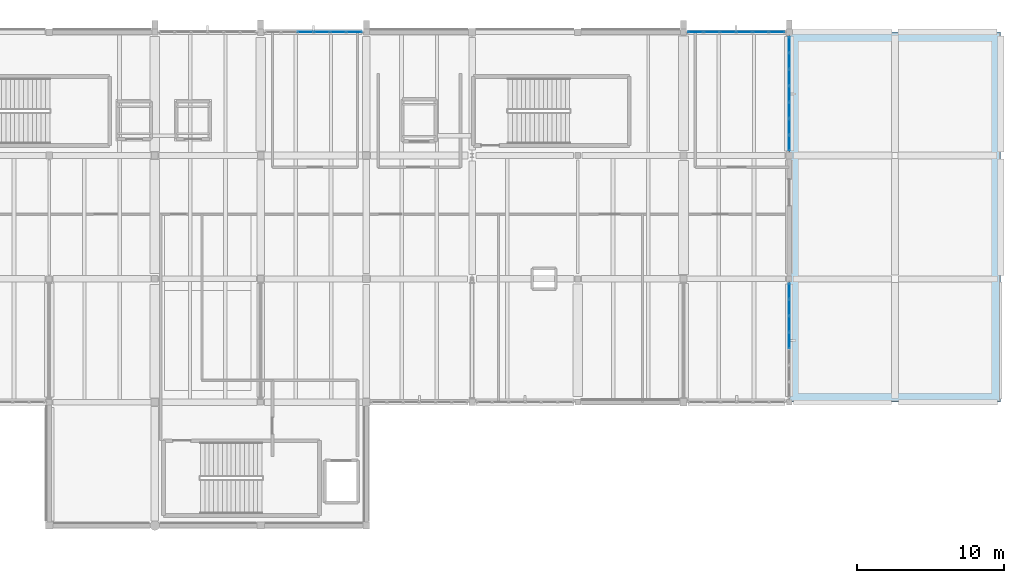
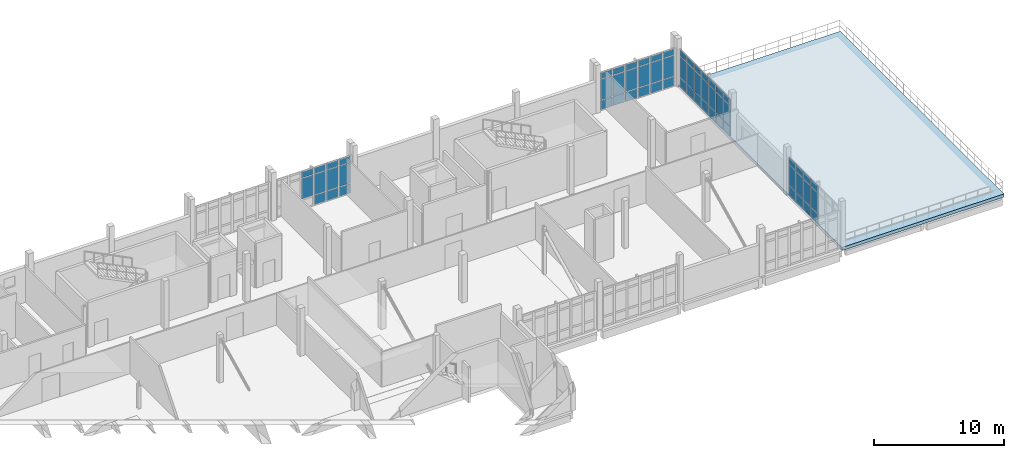
# One storey, part 24 of 34: 62 plates, 1 slab, 4 elements without a shape of their own.
"""IFC4 building model written with IfcOpenShell, lengths in metres."""

from ifc_helpers import new_model, si_unit, direction, frame, origin, origin_2d, place, context, subcontext, project, spatial, polyline, rectangle, outline, extrude, material, layer, layer_set, type_object, element, aggregate, save


model = new_model("IFC4")

# Units and contexts
model_context = context("Model", 3, precision=1e-05, world=origin(), true_north=direction((0.0, 1.0)))
body_context = subcontext(model_context, "Body", "Model", "MODEL_VIEW")
ifc_project = project(units=[si_unit("LENGTHUNIT", "METRE"), si_unit("AREAUNIT", "SQUARE_METRE"), si_unit("VOLUMEUNIT", "CUBIC_METRE"), si_unit("PLANEANGLEUNIT", "RADIAN"), si_unit("MASSUNIT", "GRAM", prefix="KILO")], contexts=[model_context])

# Site, building, storey
site_placement = place(None, origin())
site = spatial("IfcSite", under=ifc_project, at=site_placement, CompositionType="ELEMENT")
building_placement = place(site_placement, origin())
building = spatial("IfcBuilding", under=site, at=building_placement, Name="Kalluvel Institute of Natural Sciences", CompositionType="ELEMENT")
storey_placement = place(building_placement, frame((0.0, 0.0, 36.89990234375)))
storey = spatial("IfcBuildingStorey", under=building, at=storey_placement, Name="L08", CompositionType="ELEMENT", Elevation=36.89990234375)

# Curtain wall, plates
ifc_material_1 = material(Name="Aluminium AW-6063 T6", Category="aluminium")
curtain_wall_type = type_object("IfcCurtainWallType", Name="CW-WET-45", PredefinedType="USERDEFINED", material=ifc_material_1)
curtain_wall_1_placement = place(storey_placement, origin())
curtain_wall_1 = element("IfcCurtainWall", 1, at=curtain_wall_1_placement, inside=storey, type_object=curtain_wall_type, Name="L08 Gothic lancet curtain wall CWA-L08-X503-Y1280", ObjectType="UNITISED LANCET FACADE", PredefinedType="USERDEFINED")
ifc_material_2 = material(Name="Solar-Control Low-E Laminated Glass", Category="glass")
ifc_layer_1 = layer(ifc_material_2, 0.0400390625)
ifc_layer_set_1 = layer_set([ifc_layer_1], Name="Solar-Control Low-E Laminated Glass")
plate_type = type_object("IfcPlateType", Name="CWP-SPN-40", PredefinedType="CURTAIN_PANEL", material=ifc_layer_set_1)
plate_1_placement = place(storey_placement, frame((53.05615234375, 128.0, 0.9853515625), z_axis=(0.0, 0.0, 1.0), x_axis=(1.0, 0.0, 0.0)))
plate_1 = element("IfcPlate", 2, at=plate_1_placement, type_object=plate_type, Name="CW-01 panel 3.2", PredefinedType="CURTAIN_PANEL", context=body_context, shape_type="SweptSolid", body=[
    extrude(rectangle(XDim=1.04248046875, YDim=0.0400390625, at=origin_2d()), origin(), (0.0, 0.0, 1.0), 1.909912109375),
])
plate_2_placement = place(storey_placement, frame((53.05615234375, 128.0, 2.965087890625), z_axis=(0.0, 0.0, 1.0), x_axis=(1.0, 0.0, 0.0)))
plate_2 = element("IfcPlate", 3, at=plate_2_placement, type_object=plate_type, Name="CW-01 panel 3.3", PredefinedType="CURTAIN_PANEL", context=body_context, shape_type="SweptSolid", body=[
    extrude(rectangle(XDim=1.04248046875, YDim=0.0400390625, at=origin_2d()), origin(), (0.0, 0.0, 1.0), 0.544921875),
])
plate_3_placement = place(storey_placement, frame((54.168701171875, 128.0, 0.0703125), z_axis=(0.0, 0.0, 1.0), x_axis=(1.0, 0.0, 0.0)))
plate_3 = element("IfcPlate", 4, at=plate_3_placement, type_object=plate_type, Name="CW-01 panel 4.1", PredefinedType="CURTAIN_PANEL", context=body_context, shape_type="SweptSolid", body=[
    extrude(rectangle(XDim=1.04248046875, YDim=0.0400390625, at=origin_2d()), origin(), (0.0, 0.0, 1.0), 0.844970703125),
])
plate_4_placement = place(storey_placement, frame((54.168701171875, 128.0, 0.9853515625), z_axis=(0.0, 0.0, 1.0), x_axis=(1.0, 0.0, 0.0)))
plate_4 = element("IfcPlate", 5, at=plate_4_placement, type_object=plate_type, Name="CW-01 panel 4.2", PredefinedType="CURTAIN_PANEL", context=body_context, shape_type="SweptSolid", body=[
    extrude(rectangle(XDim=1.04248046875, YDim=0.0400390625, at=origin_2d()), origin(), (0.0, 0.0, 1.0), 1.909912109375),
])
plate_5_placement = place(storey_placement, frame((54.168701171875, 128.0, 2.965087890625), z_axis=(0.0, 0.0, 1.0), x_axis=(1.0, 0.0, 0.0)))
plate_5 = element("IfcPlate", 6, at=plate_5_placement, type_object=plate_type, Name="CW-01 panel 4.3", PredefinedType="CURTAIN_PANEL", context=body_context, shape_type="SweptSolid", body=[
    extrude(rectangle(XDim=1.04248046875, YDim=0.0400390625, at=origin_2d()), origin(), (0.0, 0.0, 1.0), 0.544921875),
])
plate_6_placement = place(storey_placement, frame((55.28125, 128.0, 0.0703125), z_axis=(0.0, 0.0, 1.0), x_axis=(1.0, 0.0, 0.0)))
plate_6 = element("IfcPlate", 7, at=plate_6_placement, type_object=plate_type, Name="CW-01 panel 5.1", PredefinedType="CURTAIN_PANEL", context=body_context, shape_type="SweptSolid", body=[
    extrude(rectangle(XDim=1.04248046875, YDim=0.0400390625, at=origin_2d()), origin(), (0.0, 0.0, 1.0), 0.844970703125),
])
plate_7_placement = place(storey_placement, frame((55.28125, 128.0, 0.9853515625), z_axis=(0.0, 0.0, 1.0), x_axis=(1.0, 0.0, 0.0)))
plate_7 = element("IfcPlate", 8, at=plate_7_placement, type_object=plate_type, Name="CW-01 panel 5.2", PredefinedType="CURTAIN_PANEL", context=body_context, shape_type="SweptSolid", body=[
    extrude(rectangle(XDim=1.04248046875, YDim=0.0400390625, at=origin_2d()), origin(), (0.0, 0.0, 1.0), 1.909912109375),
])
plate_8_placement = place(storey_placement, frame((55.28125, 128.0, 2.965087890625), z_axis=(0.0, 0.0, 1.0), x_axis=(1.0, 0.0, 0.0)))
plate_8 = element("IfcPlate", 9, at=plate_8_placement, type_object=plate_type, Name="CW-01 panel 5.3", PredefinedType="CURTAIN_PANEL", context=body_context, shape_type="SweptSolid", body=[
    extrude(rectangle(XDim=1.04248046875, YDim=0.0400390625, at=origin_2d()), origin(), (0.0, 0.0, 1.0), 0.544921875),
])
plate_9_placement = place(storey_placement, frame((56.376220703125, 128.0, 0.0703125), z_axis=(0.0, 0.0, 1.0), x_axis=(1.0, 0.0, 0.0)))
plate_9 = element("IfcPlate", 10, at=plate_9_placement, type_object=plate_type, Name="CW-01 panel 6.1", PredefinedType="CURTAIN_PANEL", context=body_context, shape_type="SweptSolid", body=[
    extrude(rectangle(XDim=1.007568359375, YDim=0.0400390625, at=origin_2d()), origin(), (0.0, 0.0, 1.0), 0.844970703125),
])
plate_10_placement = place(storey_placement, frame((56.376220703125, 128.0, 0.9853515625), z_axis=(0.0, 0.0, 1.0), x_axis=(1.0, 0.0, 0.0)))
plate_10 = element("IfcPlate", 11, at=plate_10_placement, type_object=plate_type, Name="CW-01 panel 6.2", PredefinedType="CURTAIN_PANEL", context=body_context, shape_type="SweptSolid", body=[
    extrude(rectangle(XDim=1.007568359375, YDim=0.0400390625, at=origin_2d()), origin(), (0.0, 0.0, 1.0), 1.909912109375),
])
plate_11_placement = place(storey_placement, frame((56.376220703125, 128.0, 2.965087890625), z_axis=(0.0, 0.0, 1.0), x_axis=(1.0, 0.0, 0.0)))
plate_11 = element("IfcPlate", 12, at=plate_11_placement, type_object=plate_type, Name="CW-01 panel 6.3", PredefinedType="CURTAIN_PANEL", context=body_context, shape_type="SweptSolid", body=[
    extrude(rectangle(XDim=1.007568359375, YDim=0.0400390625, at=origin_2d()), origin(), (0.0, 0.0, 1.0), 0.544921875),
])
aggregate(curtain_wall_1, [plate_1, plate_2, plate_3, plate_4, plate_5, plate_6, plate_7, plate_8, plate_9, plate_10, plate_11])

curtain_wall_2_placement = place(storey_placement, origin())
curtain_wall_2 = element("IfcCurtainWall", 13, at=curtain_wall_2_placement, inside=storey, type_object=curtain_wall_type, Name="L08 Gothic lancet curtain wall CWA-L08-X790-Y1280", ObjectType="UNITISED LANCET FACADE", PredefinedType="USERDEFINED")
plate_12_placement = place(storey_placement, frame((79.623779296875, 128.0, 0.0703125), z_axis=(0.0, 0.0, 1.0), x_axis=(1.0, 0.0, 0.0)))
plate_12 = element("IfcPlate", 14, at=plate_12_placement, type_object=plate_type, Name="CW-01 panel 1.1", PredefinedType="CURTAIN_PANEL", context=body_context, shape_type="SweptSolid", body=[
    extrude(rectangle(XDim=1.007568359375, YDim=0.0400390625, at=origin_2d()), origin(), (0.0, 0.0, 1.0), 0.844970703125),
])
plate_13_placement = place(storey_placement, frame((79.623779296875, 128.0, 0.9853515625), z_axis=(0.0, 0.0, 1.0), x_axis=(1.0, 0.0, 0.0)))
plate_13 = element("IfcPlate", 15, at=plate_13_placement, type_object=plate_type, Name="CW-01 panel 1.2", PredefinedType="CURTAIN_PANEL", context=body_context, shape_type="SweptSolid", body=[
    extrude(rectangle(XDim=1.007568359375, YDim=0.0400390625, at=origin_2d()), origin(), (0.0, 0.0, 1.0), 1.909912109375),
])
plate_14_placement = place(storey_placement, frame((79.623779296875, 128.0, 2.965087890625), z_axis=(0.0, 0.0, 1.0), x_axis=(1.0, 0.0, 0.0)))
plate_14 = element("IfcPlate", 16, at=plate_14_placement, type_object=plate_type, Name="CW-01 panel 1.3", PredefinedType="CURTAIN_PANEL", context=body_context, shape_type="SweptSolid", body=[
    extrude(rectangle(XDim=1.007568359375, YDim=0.0400390625, at=origin_2d()), origin(), (0.0, 0.0, 1.0), 0.544921875),
])
plate_15_placement = place(storey_placement, frame((80.71875, 128.0, 0.0703125), z_axis=(0.0, 0.0, 1.0), x_axis=(1.0, 0.0, 0.0)))
plate_15 = element("IfcPlate", 17, at=plate_15_placement, type_object=plate_type, Name="CW-01 panel 2.1", PredefinedType="CURTAIN_PANEL", context=body_context, shape_type="SweptSolid", body=[
    extrude(rectangle(XDim=1.04248046875, YDim=0.0400390625, at=origin_2d()), origin(), (0.0, 0.0, 1.0), 0.844970703125),
])
plate_16_placement = place(storey_placement, frame((80.71875, 128.0, 0.9853515625), z_axis=(0.0, 0.0, 1.0), x_axis=(1.0, 0.0, 0.0)))
plate_16 = element("IfcPlate", 18, at=plate_16_placement, type_object=plate_type, Name="CW-01 panel 2.2", PredefinedType="CURTAIN_PANEL", context=body_context, shape_type="SweptSolid", body=[
    extrude(rectangle(XDim=1.04248046875, YDim=0.0400390625, at=origin_2d()), origin(), (0.0, 0.0, 1.0), 1.909912109375),
])
plate_17_placement = place(storey_placement, frame((80.71875, 128.0, 2.965087890625), z_axis=(0.0, 0.0, 1.0), x_axis=(1.0, 0.0, 0.0)))
plate_17 = element("IfcPlate", 19, at=plate_17_placement, type_object=plate_type, Name="CW-01 panel 2.3", PredefinedType="CURTAIN_PANEL", context=body_context, shape_type="SweptSolid", body=[
    extrude(rectangle(XDim=1.04248046875, YDim=0.0400390625, at=origin_2d()), origin(), (0.0, 0.0, 1.0), 0.544921875),
])
plate_18_placement = place(storey_placement, frame((81.831298828125, 128.0, 0.0703125), z_axis=(0.0, 0.0, 1.0), x_axis=(1.0, 0.0, 0.0)))
plate_18 = element("IfcPlate", 20, at=plate_18_placement, type_object=plate_type, Name="CW-01 panel 3.1", PredefinedType="CURTAIN_PANEL", context=body_context, shape_type="SweptSolid", body=[
    extrude(rectangle(XDim=1.04248046875, YDim=0.0400390625, at=origin_2d()), origin(), (0.0, 0.0, 1.0), 0.844970703125),
])
plate_19_placement = place(storey_placement, frame((81.831298828125, 128.0, 0.9853515625), z_axis=(0.0, 0.0, 1.0), x_axis=(1.0, 0.0, 0.0)))
plate_19 = element("IfcPlate", 21, at=plate_19_placement, type_object=plate_type, Name="CW-01 panel 3.2", PredefinedType="CURTAIN_PANEL", context=body_context, shape_type="SweptSolid", body=[
    extrude(rectangle(XDim=1.04248046875, YDim=0.0400390625, at=origin_2d()), origin(), (0.0, 0.0, 1.0), 1.909912109375),
])
plate_20_placement = place(storey_placement, frame((81.831298828125, 128.0, 2.965087890625), z_axis=(0.0, 0.0, 1.0), x_axis=(1.0, 0.0, 0.0)))
plate_20 = element("IfcPlate", 22, at=plate_20_placement, type_object=plate_type, Name="CW-01 panel 3.3", PredefinedType="CURTAIN_PANEL", context=body_context, shape_type="SweptSolid", body=[
    extrude(rectangle(XDim=1.04248046875, YDim=0.0400390625, at=origin_2d()), origin(), (0.0, 0.0, 1.0), 0.544921875),
])
plate_21_placement = place(storey_placement, frame((82.94384765625, 128.0, 0.0703125), z_axis=(0.0, 0.0, 1.0), x_axis=(1.0, 0.0, 0.0)))
plate_21 = element("IfcPlate", 23, at=plate_21_placement, type_object=plate_type, Name="CW-01 panel 4.1", PredefinedType="CURTAIN_PANEL", context=body_context, shape_type="SweptSolid", body=[
    extrude(rectangle(XDim=1.04248046875, YDim=0.0400390625, at=origin_2d()), origin(), (0.0, 0.0, 1.0), 0.844970703125),
])
plate_22_placement = place(storey_placement, frame((82.94384765625, 128.0, 0.9853515625), z_axis=(0.0, 0.0, 1.0), x_axis=(1.0, 0.0, 0.0)))
plate_22 = element("IfcPlate", 24, at=plate_22_placement, type_object=plate_type, Name="CW-01 panel 4.2", PredefinedType="CURTAIN_PANEL", context=body_context, shape_type="SweptSolid", body=[
    extrude(rectangle(XDim=1.04248046875, YDim=0.0400390625, at=origin_2d()), origin(), (0.0, 0.0, 1.0), 1.909912109375),
])
plate_23_placement = place(storey_placement, frame((82.94384765625, 128.0, 2.965087890625), z_axis=(0.0, 0.0, 1.0), x_axis=(1.0, 0.0, 0.0)))
plate_23 = element("IfcPlate", 25, at=plate_23_placement, type_object=plate_type, Name="CW-01 panel 4.3", PredefinedType="CURTAIN_PANEL", context=body_context, shape_type="SweptSolid", body=[
    extrude(rectangle(XDim=1.04248046875, YDim=0.0400390625, at=origin_2d()), origin(), (0.0, 0.0, 1.0), 0.544921875),
])
plate_24_placement = place(storey_placement, frame((84.05615234375, 128.0, 0.0703125), z_axis=(0.0, 0.0, 1.0), x_axis=(1.0, 0.0, 0.0)))
plate_24 = element("IfcPlate", 26, at=plate_24_placement, type_object=plate_type, Name="CW-01 panel 5.1", PredefinedType="CURTAIN_PANEL", context=body_context, shape_type="SweptSolid", body=[
    extrude(rectangle(XDim=1.04248046875, YDim=0.0400390625, at=origin_2d()), origin(), (0.0, 0.0, 1.0), 0.844970703125),
])
plate_25_placement = place(storey_placement, frame((84.05615234375, 128.0, 0.9853515625), z_axis=(0.0, 0.0, 1.0), x_axis=(1.0, 0.0, 0.0)))
plate_25 = element("IfcPlate", 27, at=plate_25_placement, type_object=plate_type, Name="CW-01 panel 5.2", PredefinedType="CURTAIN_PANEL", context=body_context, shape_type="SweptSolid", body=[
    extrude(rectangle(XDim=1.04248046875, YDim=0.0400390625, at=origin_2d()), origin(), (0.0, 0.0, 1.0), 1.909912109375),
])
plate_26_placement = place(storey_placement, frame((84.05615234375, 128.0, 2.965087890625), z_axis=(0.0, 0.0, 1.0), x_axis=(1.0, 0.0, 0.0)))
plate_26 = element("IfcPlate", 28, at=plate_26_placement, type_object=plate_type, Name="CW-01 panel 5.3", PredefinedType="CURTAIN_PANEL", context=body_context, shape_type="SweptSolid", body=[
    extrude(rectangle(XDim=1.04248046875, YDim=0.0400390625, at=origin_2d()), origin(), (0.0, 0.0, 1.0), 0.544921875),
])
plate_27_placement = place(storey_placement, frame((85.1513671875, 128.0, 0.0703125), z_axis=(0.0, 0.0, 1.0), x_axis=(1.0, 0.0, 0.0)))
plate_27 = element("IfcPlate", 29, at=plate_27_placement, type_object=plate_type, Name="CW-01 panel 6.1", PredefinedType="CURTAIN_PANEL", context=body_context, shape_type="SweptSolid", body=[
    extrude(rectangle(XDim=1.007568359375, YDim=0.0400390625, at=origin_2d()), origin(), (0.0, 0.0, 1.0), 0.844970703125),
])
plate_28_placement = place(storey_placement, frame((85.1513671875, 128.0, 0.9853515625), z_axis=(0.0, 0.0, 1.0), x_axis=(1.0, 0.0, 0.0)))
plate_28 = element("IfcPlate", 30, at=plate_28_placement, type_object=plate_type, Name="CW-01 panel 6.2", PredefinedType="CURTAIN_PANEL", context=body_context, shape_type="SweptSolid", body=[
    extrude(rectangle(XDim=1.007568359375, YDim=0.0400390625, at=origin_2d()), origin(), (0.0, 0.0, 1.0), 1.909912109375),
])
plate_29_placement = place(storey_placement, frame((85.1513671875, 128.0, 2.965087890625), z_axis=(0.0, 0.0, 1.0), x_axis=(1.0, 0.0, 0.0)))
plate_29 = element("IfcPlate", 31, at=plate_29_placement, type_object=plate_type, Name="CW-01 panel 6.3", PredefinedType="CURTAIN_PANEL", context=body_context, shape_type="SweptSolid", body=[
    extrude(rectangle(XDim=1.007568359375, YDim=0.0400390625, at=origin_2d()), origin(), (0.0, 0.0, 1.0), 0.544921875),
])
aggregate(curtain_wall_2, [plate_12, plate_13, plate_14, plate_15, plate_16, plate_17, plate_18, plate_19, plate_20, plate_21, plate_22, plate_23, plate_24, plate_25, plate_26, plate_27, plate_28, plate_29])

curtain_wall_3_placement = place(storey_placement, origin())
curtain_wall_3 = element("IfcCurtainWall", 32, at=curtain_wall_3_placement, inside=storey, type_object=curtain_wall_type, Name="L08 Gothic lancet curtain wall CWA-L08-X860-Y1030", ObjectType="UNITISED LANCET FACADE", PredefinedType="USERDEFINED")
plate_30_placement = place(storey_placement, frame((86.0, 107.0, 0.0703125), z_axis=(0.0, 0.0, 1.0), x_axis=(0.0, 1.0, 0.0)))
plate_30 = element("IfcPlate", 33, at=plate_30_placement, type_object=plate_type, Name="CW-01 panel 4.1", PredefinedType="CURTAIN_PANEL", context=body_context, shape_type="SweptSolid", body=[
    extrude(rectangle(XDim=1.05859375, YDim=0.0400390625, at=origin_2d()), origin(), (0.0, 0.0, 1.0), 0.844970703125),
])
plate_31_placement = place(storey_placement, frame((86.0, 107.0, 0.9853515625), z_axis=(0.0, 0.0, 1.0), x_axis=(0.0, 1.0, 0.0)))
plate_31 = element("IfcPlate", 34, at=plate_31_placement, type_object=plate_type, Name="CW-01 panel 4.2", PredefinedType="CURTAIN_PANEL", context=body_context, shape_type="SweptSolid", body=[
    extrude(rectangle(XDim=1.05859375, YDim=0.0400390625, at=origin_2d()), origin(), (0.0, 0.0, 1.0), 1.909912109375),
])
plate_32_placement = place(storey_placement, frame((86.0, 107.0, 2.965087890625), z_axis=(0.0, 0.0, 1.0), x_axis=(0.0, 1.0, 0.0)))
plate_32 = element("IfcPlate", 35, at=plate_32_placement, type_object=plate_type, Name="CW-01 panel 4.3", PredefinedType="CURTAIN_PANEL", context=body_context, shape_type="SweptSolid", body=[
    extrude(rectangle(XDim=1.05859375, YDim=0.0400390625, at=origin_2d()), origin(), (0.0, 0.0, 1.0), 0.544921875),
])
plate_33_placement = place(storey_placement, frame((86.0, 108.128662109375, 0.0703125), z_axis=(0.0, 0.0, 1.0), x_axis=(0.0, 1.0, 0.0)))
plate_33 = element("IfcPlate", 36, at=plate_33_placement, type_object=plate_type, Name="CW-01 panel 5.1", PredefinedType="CURTAIN_PANEL", context=body_context, shape_type="SweptSolid", body=[
    extrude(rectangle(XDim=1.05859375, YDim=0.0400390625, at=origin_2d()), origin(), (0.0, 0.0, 1.0), 0.844970703125),
])
plate_34_placement = place(storey_placement, frame((86.0, 108.128662109375, 0.9853515625), z_axis=(0.0, 0.0, 1.0), x_axis=(0.0, 1.0, 0.0)))
plate_34 = element("IfcPlate", 37, at=plate_34_placement, type_object=plate_type, Name="CW-01 panel 5.2", PredefinedType="CURTAIN_PANEL", context=body_context, shape_type="SweptSolid", body=[
    extrude(rectangle(XDim=1.05859375, YDim=0.0400390625, at=origin_2d()), origin(), (0.0, 0.0, 1.0), 1.909912109375),
])
plate_35_placement = place(storey_placement, frame((86.0, 108.128662109375, 2.965087890625), z_axis=(0.0, 0.0, 1.0), x_axis=(0.0, 1.0, 0.0)))
plate_35 = element("IfcPlate", 38, at=plate_35_placement, type_object=plate_type, Name="CW-01 panel 5.3", PredefinedType="CURTAIN_PANEL", context=body_context, shape_type="SweptSolid", body=[
    extrude(rectangle(XDim=1.05859375, YDim=0.0400390625, at=origin_2d()), origin(), (0.0, 0.0, 1.0), 0.544921875),
])
plate_36_placement = place(storey_placement, frame((86.0, 109.257080078125, 0.0703125), z_axis=(0.0, 0.0, 1.0), x_axis=(0.0, 1.0, 0.0)))
plate_36 = element("IfcPlate", 39, at=plate_36_placement, type_object=plate_type, Name="CW-01 panel 6.1", PredefinedType="CURTAIN_PANEL", context=body_context, shape_type="SweptSolid", body=[
    extrude(rectangle(XDim=1.05859375, YDim=0.0400390625, at=origin_2d()), origin(), (0.0, 0.0, 1.0), 0.844970703125),
])
plate_37_placement = place(storey_placement, frame((86.0, 109.257080078125, 0.9853515625), z_axis=(0.0, 0.0, 1.0), x_axis=(0.0, 1.0, 0.0)))
plate_37 = element("IfcPlate", 40, at=plate_37_placement, type_object=plate_type, Name="CW-01 panel 6.2", PredefinedType="CURTAIN_PANEL", context=body_context, shape_type="SweptSolid", body=[
    extrude(rectangle(XDim=1.05859375, YDim=0.0400390625, at=origin_2d()), origin(), (0.0, 0.0, 1.0), 1.909912109375),
])
plate_38_placement = place(storey_placement, frame((86.0, 109.257080078125, 2.965087890625), z_axis=(0.0, 0.0, 1.0), x_axis=(0.0, 1.0, 0.0)))
plate_38 = element("IfcPlate", 41, at=plate_38_placement, type_object=plate_type, Name="CW-01 panel 6.3", PredefinedType="CURTAIN_PANEL", context=body_context, shape_type="SweptSolid", body=[
    extrude(rectangle(XDim=1.05859375, YDim=0.0400390625, at=origin_2d()), origin(), (0.0, 0.0, 1.0), 0.544921875),
])
plate_39_placement = place(storey_placement, frame((86.0, 110.3681640625, 0.0703125), z_axis=(0.0, 0.0, 1.0), x_axis=(0.0, 1.0, 0.0)))
plate_39 = element("IfcPlate", 42, at=plate_39_placement, type_object=plate_type, Name="CW-01 panel 7.1", PredefinedType="CURTAIN_PANEL", context=body_context, shape_type="SweptSolid", body=[
    extrude(rectangle(XDim=1.023681640625, YDim=0.0400390625, at=origin_2d()), origin(), (0.0, 0.0, 1.0), 0.844970703125),
])
plate_40_placement = place(storey_placement, frame((86.0, 110.3681640625, 0.9853515625), z_axis=(0.0, 0.0, 1.0), x_axis=(0.0, 1.0, 0.0)))
plate_40 = element("IfcPlate", 43, at=plate_40_placement, type_object=plate_type, Name="CW-01 panel 7.2", PredefinedType="CURTAIN_PANEL", context=body_context, shape_type="SweptSolid", body=[
    extrude(rectangle(XDim=1.023681640625, YDim=0.0400390625, at=origin_2d()), origin(), (0.0, 0.0, 1.0), 1.909912109375),
])
plate_41_placement = place(storey_placement, frame((86.0, 110.3681640625, 2.965087890625), z_axis=(0.0, 0.0, 1.0), x_axis=(0.0, 1.0, 0.0)))
plate_41 = element("IfcPlate", 44, at=plate_41_placement, type_object=plate_type, Name="CW-01 panel 7.3", PredefinedType="CURTAIN_PANEL", context=body_context, shape_type="SweptSolid", body=[
    extrude(rectangle(XDim=1.023681640625, YDim=0.0400390625, at=origin_2d()), origin(), (0.0, 0.0, 1.0), 0.544921875),
])
aggregate(curtain_wall_3, [plate_30, plate_31, plate_32, plate_33, plate_34, plate_35, plate_36, plate_37, plate_38, plate_39, plate_40, plate_41])

curtain_wall_4_placement = place(storey_placement, origin())
curtain_wall_4 = element("IfcCurtainWall", 45, at=curtain_wall_4_placement, inside=storey, type_object=curtain_wall_type, Name="L08 Gothic lancet curtain wall CWA-L08-X860-Y1199", ObjectType="UNITISED LANCET FACADE", PredefinedType="USERDEFINED")
plate_42_placement = place(storey_placement, frame((86.0, 120.453125, 0.0703125), z_axis=(0.0, 0.0, 1.0), x_axis=(0.0, 1.0, 0.0)))
plate_42 = element("IfcPlate", 46, at=plate_42_placement, type_object=plate_type, Name="CW-01 panel 1.1", PredefinedType="CURTAIN_PANEL", context=body_context, shape_type="SweptSolid", body=[
    extrude(rectangle(XDim=1.016357421875, YDim=0.0400390625, at=origin_2d()), origin(), (0.0, 0.0, 1.0), 0.844970703125),
])
plate_43_placement = place(storey_placement, frame((86.0, 120.453125, 0.9853515625), z_axis=(0.0, 0.0, 1.0), x_axis=(0.0, 1.0, 0.0)))
plate_43 = element("IfcPlate", 47, at=plate_43_placement, type_object=plate_type, Name="CW-01 panel 1.2", PredefinedType="CURTAIN_PANEL", context=body_context, shape_type="SweptSolid", body=[
    extrude(rectangle(XDim=1.016357421875, YDim=0.0400390625, at=origin_2d()), origin(), (0.0, 0.0, 1.0), 1.909912109375),
])
plate_44_placement = place(storey_placement, frame((86.0, 120.453125, 2.965087890625), z_axis=(0.0, 0.0, 1.0), x_axis=(0.0, 1.0, 0.0)))
plate_44 = element("IfcPlate", 48, at=plate_44_placement, type_object=plate_type, Name="CW-01 panel 1.3", PredefinedType="CURTAIN_PANEL", context=body_context, shape_type="SweptSolid", body=[
    extrude(rectangle(XDim=1.016357421875, YDim=0.0400390625, at=origin_2d()), origin(), (0.0, 0.0, 1.0), 0.544921875),
])
plate_45_placement = place(storey_placement, frame((86.0, 121.55712890625, 0.0703125), z_axis=(0.0, 0.0, 1.0), x_axis=(0.0, 1.0, 0.0)))
plate_45 = element("IfcPlate", 49, at=plate_45_placement, type_object=plate_type, Name="CW-01 panel 2.1", PredefinedType="CURTAIN_PANEL", context=body_context, shape_type="SweptSolid", body=[
    extrude(rectangle(XDim=1.051513671875, YDim=0.0400390625, at=origin_2d()), origin(), (0.0, 0.0, 1.0), 0.844970703125),
])
plate_46_placement = place(storey_placement, frame((86.0, 121.55712890625, 0.9853515625), z_axis=(0.0, 0.0, 1.0), x_axis=(0.0, 1.0, 0.0)))
plate_46 = element("IfcPlate", 50, at=plate_46_placement, type_object=plate_type, Name="CW-01 panel 2.2", PredefinedType="CURTAIN_PANEL", context=body_context, shape_type="SweptSolid", body=[
    extrude(rectangle(XDim=1.051513671875, YDim=0.0400390625, at=origin_2d()), origin(), (0.0, 0.0, 1.0), 1.909912109375),
])
plate_47_placement = place(storey_placement, frame((86.0, 121.55712890625, 2.965087890625), z_axis=(0.0, 0.0, 1.0), x_axis=(0.0, 1.0, 0.0)))
plate_47 = element("IfcPlate", 51, at=plate_47_placement, type_object=plate_type, Name="CW-01 panel 2.3", PredefinedType="CURTAIN_PANEL", context=body_context, shape_type="SweptSolid", body=[
    extrude(rectangle(XDim=1.051513671875, YDim=0.0400390625, at=origin_2d()), origin(), (0.0, 0.0, 1.0), 0.544921875),
])
plate_48_placement = place(storey_placement, frame((86.0, 122.678466796875, 0.0703125), z_axis=(0.0, 0.0, 1.0), x_axis=(0.0, 1.0, 0.0)))
plate_48 = element("IfcPlate", 52, at=plate_48_placement, type_object=plate_type, Name="CW-01 panel 3.1", PredefinedType="CURTAIN_PANEL", context=body_context, shape_type="SweptSolid", body=[
    extrude(rectangle(XDim=1.051513671875, YDim=0.0400390625, at=origin_2d()), origin(), (0.0, 0.0, 1.0), 0.844970703125),
])
plate_49_placement = place(storey_placement, frame((86.0, 122.678466796875, 0.9853515625), z_axis=(0.0, 0.0, 1.0), x_axis=(0.0, 1.0, 0.0)))
plate_49 = element("IfcPlate", 53, at=plate_49_placement, type_object=plate_type, Name="CW-01 panel 3.2", PredefinedType="CURTAIN_PANEL", context=body_context, shape_type="SweptSolid", body=[
    extrude(rectangle(XDim=1.051513671875, YDim=0.0400390625, at=origin_2d()), origin(), (0.0, 0.0, 1.0), 1.909912109375),
])
plate_50_placement = place(storey_placement, frame((86.0, 122.678466796875, 2.965087890625), z_axis=(0.0, 0.0, 1.0), x_axis=(0.0, 1.0, 0.0)))
plate_50 = element("IfcPlate", 54, at=plate_50_placement, type_object=plate_type, Name="CW-01 panel 3.3", PredefinedType="CURTAIN_PANEL", context=body_context, shape_type="SweptSolid", body=[
    extrude(rectangle(XDim=1.051513671875, YDim=0.0400390625, at=origin_2d()), origin(), (0.0, 0.0, 1.0), 0.544921875),
])
plate_51_placement = place(storey_placement, frame((86.0, 123.800048828125, 0.0703125), z_axis=(0.0, 0.0, 1.0), x_axis=(0.0, 1.0, 0.0)))
plate_51 = element("IfcPlate", 55, at=plate_51_placement, type_object=plate_type, Name="CW-01 panel 4.1", PredefinedType="CURTAIN_PANEL", context=body_context, shape_type="SweptSolid", body=[
    extrude(rectangle(XDim=1.051513671875, YDim=0.0400390625, at=origin_2d()), origin(), (0.0, 0.0, 1.0), 0.844970703125),
])
plate_52_placement = place(storey_placement, frame((86.0, 123.800048828125, 0.9853515625), z_axis=(0.0, 0.0, 1.0), x_axis=(0.0, 1.0, 0.0)))
plate_52 = element("IfcPlate", 56, at=plate_52_placement, type_object=plate_type, Name="CW-01 panel 4.2", PredefinedType="CURTAIN_PANEL", context=body_context, shape_type="SweptSolid", body=[
    extrude(rectangle(XDim=1.051513671875, YDim=0.0400390625, at=origin_2d()), origin(), (0.0, 0.0, 1.0), 1.909912109375),
])
plate_53_placement = place(storey_placement, frame((86.0, 123.800048828125, 2.965087890625), z_axis=(0.0, 0.0, 1.0), x_axis=(0.0, 1.0, 0.0)))
plate_53 = element("IfcPlate", 57, at=plate_53_placement, type_object=plate_type, Name="CW-01 panel 4.3", PredefinedType="CURTAIN_PANEL", context=body_context, shape_type="SweptSolid", body=[
    extrude(rectangle(XDim=1.051513671875, YDim=0.0400390625, at=origin_2d()), origin(), (0.0, 0.0, 1.0), 0.544921875),
])
plate_54_placement = place(storey_placement, frame((86.0, 124.92138671875, 0.0703125), z_axis=(0.0, 0.0, 1.0), x_axis=(0.0, 1.0, 0.0)))
plate_54 = element("IfcPlate", 58, at=plate_54_placement, type_object=plate_type, Name="CW-01 panel 5.1", PredefinedType="CURTAIN_PANEL", context=body_context, shape_type="SweptSolid", body=[
    extrude(rectangle(XDim=1.051513671875, YDim=0.0400390625, at=origin_2d()), origin(), (0.0, 0.0, 1.0), 0.844970703125),
])
plate_55_placement = place(storey_placement, frame((86.0, 124.92138671875, 0.9853515625), z_axis=(0.0, 0.0, 1.0), x_axis=(0.0, 1.0, 0.0)))
plate_55 = element("IfcPlate", 59, at=plate_55_placement, type_object=plate_type, Name="CW-01 panel 5.2", PredefinedType="CURTAIN_PANEL", context=body_context, shape_type="SweptSolid", body=[
    extrude(rectangle(XDim=1.051513671875, YDim=0.0400390625, at=origin_2d()), origin(), (0.0, 0.0, 1.0), 1.909912109375),
])
plate_56_placement = place(storey_placement, frame((86.0, 124.92138671875, 2.965087890625), z_axis=(0.0, 0.0, 1.0), x_axis=(0.0, 1.0, 0.0)))
plate_56 = element("IfcPlate", 60, at=plate_56_placement, type_object=plate_type, Name="CW-01 panel 5.3", PredefinedType="CURTAIN_PANEL", context=body_context, shape_type="SweptSolid", body=[
    extrude(rectangle(XDim=1.051513671875, YDim=0.0400390625, at=origin_2d()), origin(), (0.0, 0.0, 1.0), 0.544921875),
])
plate_57_placement = place(storey_placement, frame((86.0, 126.04296875, 0.0703125), z_axis=(0.0, 0.0, 1.0), x_axis=(0.0, 1.0, 0.0)))
plate_57 = element("IfcPlate", 61, at=plate_57_placement, type_object=plate_type, Name="CW-01 panel 6.1", PredefinedType="CURTAIN_PANEL", context=body_context, shape_type="SweptSolid", body=[
    extrude(rectangle(XDim=1.051513671875, YDim=0.0400390625, at=origin_2d()), origin(), (0.0, 0.0, 1.0), 0.844970703125),
])
plate_58_placement = place(storey_placement, frame((86.0, 126.04296875, 0.9853515625), z_axis=(0.0, 0.0, 1.0), x_axis=(0.0, 1.0, 0.0)))
plate_58 = element("IfcPlate", 62, at=plate_58_placement, type_object=plate_type, Name="CW-01 panel 6.2", PredefinedType="CURTAIN_PANEL", context=body_context, shape_type="SweptSolid", body=[
    extrude(rectangle(XDim=1.051513671875, YDim=0.0400390625, at=origin_2d()), origin(), (0.0, 0.0, 1.0), 1.909912109375),
])
plate_59_placement = place(storey_placement, frame((86.0, 126.04296875, 2.965087890625), z_axis=(0.0, 0.0, 1.0), x_axis=(0.0, 1.0, 0.0)))
plate_59 = element("IfcPlate", 63, at=plate_59_placement, type_object=plate_type, Name="CW-01 panel 6.3", PredefinedType="CURTAIN_PANEL", context=body_context, shape_type="SweptSolid", body=[
    extrude(rectangle(XDim=1.051513671875, YDim=0.0400390625, at=origin_2d()), origin(), (0.0, 0.0, 1.0), 0.544921875),
])
plate_60_placement = place(storey_placement, frame((86.0, 127.146728515625, 0.0703125), z_axis=(0.0, 0.0, 1.0), x_axis=(0.0, 1.0, 0.0)))
plate_60 = element("IfcPlate", 64, at=plate_60_placement, type_object=plate_type, Name="CW-01 panel 7.1", PredefinedType="CURTAIN_PANEL", context=body_context, shape_type="SweptSolid", body=[
    extrude(rectangle(XDim=1.016357421875, YDim=0.0400390625, at=origin_2d()), origin(), (0.0, 0.0, 1.0), 0.844970703125),
])
plate_61_placement = place(storey_placement, frame((86.0, 127.146728515625, 0.9853515625), z_axis=(0.0, 0.0, 1.0), x_axis=(0.0, 1.0, 0.0)))
plate_61 = element("IfcPlate", 65, at=plate_61_placement, type_object=plate_type, Name="CW-01 panel 7.2", PredefinedType="CURTAIN_PANEL", context=body_context, shape_type="SweptSolid", body=[
    extrude(rectangle(XDim=1.016357421875, YDim=0.0400390625, at=origin_2d()), origin(), (0.0, 0.0, 1.0), 1.909912109375),
])
plate_62_placement = place(storey_placement, frame((86.0, 127.146728515625, 2.965087890625), z_axis=(0.0, 0.0, 1.0), x_axis=(0.0, 1.0, 0.0)))
plate_62 = element("IfcPlate", 66, at=plate_62_placement, type_object=plate_type, Name="CW-01 panel 7.3", PredefinedType="CURTAIN_PANEL", context=body_context, shape_type="SweptSolid", body=[
    extrude(rectangle(XDim=1.016357421875, YDim=0.0400390625, at=origin_2d()), origin(), (0.0, 0.0, 1.0), 0.544921875),
])
aggregate(curtain_wall_4, [plate_42, plate_43, plate_44, plate_45, plate_46, plate_47, plate_48, plate_49, plate_50, plate_51, plate_52, plate_53, plate_54, plate_55, plate_56, plate_57, plate_58, plate_59, plate_60, plate_61, plate_62])

# Slab
ifc_material_3 = material(Name="Sadarahalli Granite Precast Concrete M45", Category="masonry")
ifc_layer_2 = layer(ifc_material_3, 0.300048828125)
ifc_layer_set_2 = layer_set([ifc_layer_2], Name="Sadarahalli Granite Precast Concrete M45")
slab_type = type_object("IfcSlabType", Name="SLB-TER-300", PredefinedType="FLOOR", material=ifc_layer_set_2)
slab_placement = place(storey_placement, frame((0.0, 0.0, -0.2998046875)))
element("IfcSlab", 67, at=slab_placement, inside=storey, type_object=slab_type, Name="L08 Upper Crown Botanical Observation Terrace Slab", PredefinedType="FLOOR", context=body_context, shape_type="SweptSolid", body=[
    extrude(outline(polyline([(86.0, 102.800048828125), (100.39990234375, 102.800048828125), (100.39990234375, 128.0), (86.0, 128.0), (86.0, 102.800048828125)])), origin(), (0.0, 0.0, 1.0), 0.2998046875),
])

save(model, "model.ifc")
